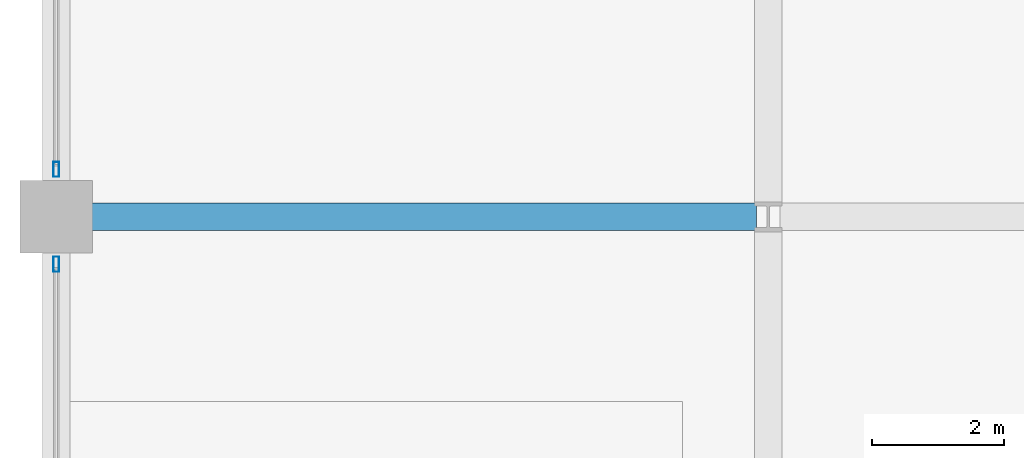
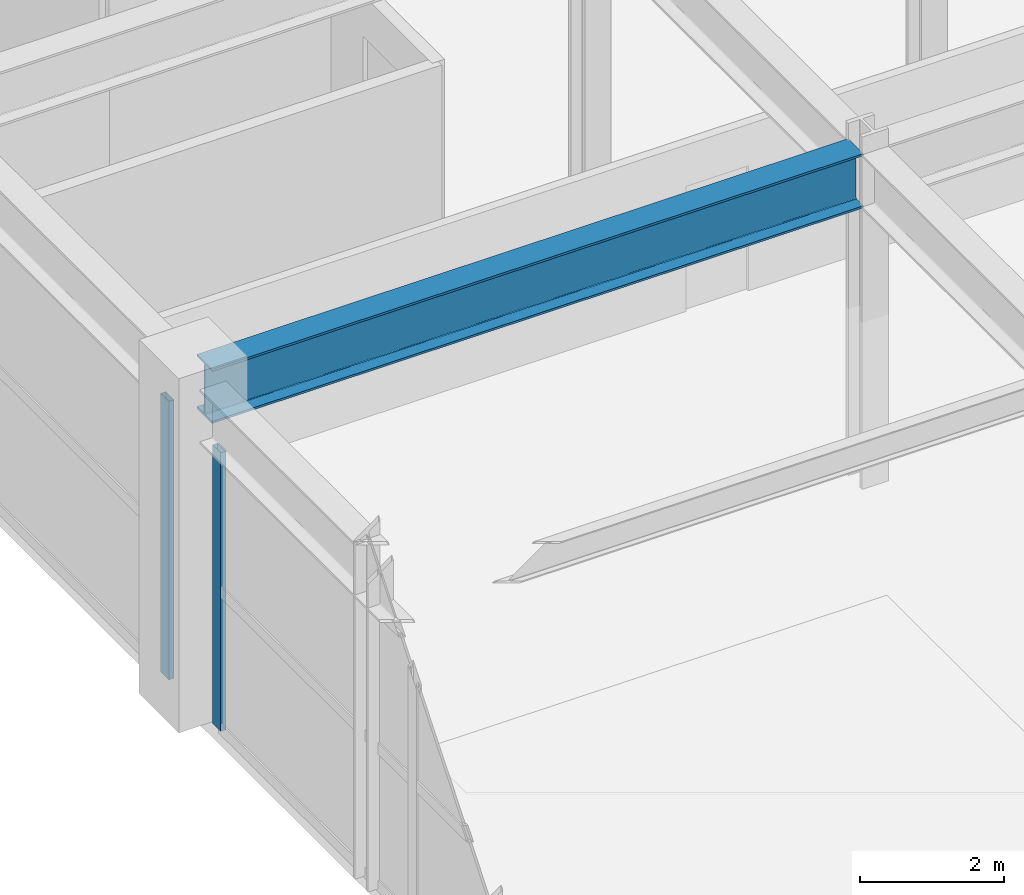
# One storey, part 6 of 41: 2 members, 1 beam, 2 elements without a shape of their own.
"""IFC4 building model written with IfcOpenShell, lengths in metres."""

from ifc_helpers import new_model, si_unit, direction, frame, origin, origin_2d, place, context, subcontext, project, spatial, hollow_rectangle, i_section, extrude, material, material_profile, profile_set, type_object, element, aggregate, save


model = new_model("IFC4")

# Units and contexts
model_context = context("Model", 3, precision=1e-05, world=origin(), true_north=direction((0.0, 1.0)))
body_context = subcontext(model_context, "Body", "Model", "MODEL_VIEW")
ifc_project = project(units=[si_unit("LENGTHUNIT", "METRE"), si_unit("AREAUNIT", "SQUARE_METRE"), si_unit("VOLUMEUNIT", "CUBIC_METRE"), si_unit("PLANEANGLEUNIT", "RADIAN"), si_unit("MASSUNIT", "GRAM", prefix="KILO")], contexts=[model_context])

# Site, building, storey
site_placement = place(None, origin())
site = spatial("IfcSite", under=ifc_project, at=site_placement, CompositionType="ELEMENT")
building_placement = place(site_placement, origin())
building = spatial("IfcBuilding", under=site, at=building_placement, Name="Kovane Verandah Tower", CompositionType="ELEMENT")
storey_placement = place(building_placement, origin())
storey = spatial("IfcBuildingStorey", under=building, at=storey_placement, Name="L00", CompositionType="ELEMENT", Elevation=0.0)

# Beam
ifc_material_1 = material(Name="Steel S460", Category="steel")
ifc_material_profile_1 = material_profile(ifc_material_1, i_section(OverallWidth=0.42041015625, OverallDepth=0.9208984375, WebThickness=0.021484375, FlangeThickness=0.03662109375, FilletRadius=0.024169921875, at=origin_2d()), Name="UB914x419x388")
ifc_profile_set_1 = profile_set([ifc_material_profile_1], Name="Steel S460")
beam_type = type_object("IfcBeamType", Name="BM-UB914x388", PredefinedType="BEAM", material=ifc_profile_set_1)
beam_placement = place(storey_placement, frame((-1.820068359375, 10.800048828125, 5.239501953125), z_axis=(1.0, 0.0, 0.0), x_axis=(0.0, 1.0, 0.0)))
element("IfcBeam", 1, at=beam_placement, inside=storey, type_object=beam_type, Name="L00 Podium Grid Girder X08", PredefinedType="BEAM", context=body_context, shape_type="SweptSolid", body=[
    extrude(i_section(OverallWidth=0.42041015625, OverallDepth=0.9208984375, WebThickness=0.021484375, FlangeThickness=0.03662109375, FilletRadius=0.024169921875, at=origin_2d()), origin(), (0.0, 0.0, 1.0), 10.440185546875),
])

# Curtain wall, member
ifc_material_2 = material(Name="Champagne Anodised Aluminium Frame with Low-E Clear Laminated Glass", Category="aluminium")
curtain_wall_type = type_object("IfcCurtainWallType", Name="CW-SYS-01-POD", PredefinedType="NOTDEFINED", material=ifc_material_2)
curtain_wall_1_placement = place(storey_placement, origin())
curtain_wall_1 = element("IfcCurtainWall", 2, at=curtain_wall_1_placement, inside=storey, type_object=curtain_wall_type, Name="Ground West Shopfront Curtain Wall Bay 1", PredefinedType="NOTDEFINED")
ifc_material_3 = material(Name="Champagne Anodised Aluminium 6063-T6", Category="aluminium")
ifc_material_profile_2 = material_profile(ifc_material_3, hollow_rectangle(XDim=0.0849609375, YDim=0.22998046875, WallThickness=0.00390625, at=origin_2d()), Name="AL85x230x4")
ifc_profile_set_2 = profile_set([ifc_material_profile_2], Name="Champagne Anodised Aluminium 6063-T6")
member_type = type_object("IfcMemberType", Name="CW-MUL-85x230", PredefinedType="MULLION", material=ifc_profile_set_2)
member_1_placement = place(storey_placement, frame((-2.0, 10.080078125, 0.02001953125), z_axis=(0.0, 0.0, 1.0), x_axis=(-1.0, 0.0, 0.0)))
member_1 = element("IfcMember", 3, at=member_1_placement, type_object=member_type, Name="Ground West Shopfront Curtain Wall Bay 1 Mullion 1", PredefinedType="MULLION", context=body_context, shape_type="SweptSolid", body=[
    extrude(hollow_rectangle(XDim=0.0849609375, YDim=0.22998046875, WallThickness=0.00390625, at=origin_2d()), origin(), (0.0, 0.0, 1.0), 4.718994140625),
])
aggregate(curtain_wall_1, [member_1])

curtain_wall_2_placement = place(storey_placement, origin())
curtain_wall_2 = element("IfcCurtainWall", 4, at=curtain_wall_2_placement, inside=storey, type_object=curtain_wall_type, Name="Ground West Shopfront Curtain Wall Bay 2", PredefinedType="NOTDEFINED")
member_2_placement = place(storey_placement, frame((-2.0, 11.52001953125, 0.02001953125), z_axis=(0.0, 0.0, 1.0), x_axis=(-1.0, 0.0, 0.0)))
member_2 = element("IfcMember", 5, at=member_2_placement, type_object=member_type, Name="Ground West Shopfront Curtain Wall Bay 2 Mullion 2", PredefinedType="MULLION", context=body_context, shape_type="SweptSolid", body=[
    extrude(hollow_rectangle(XDim=0.0849609375, YDim=0.22998046875, WallThickness=0.00390625, at=origin_2d()), origin(), (0.0, 0.0, 1.0), 4.718994140625),
])
aggregate(curtain_wall_2, [member_2])

save(model, "model.ifc")
